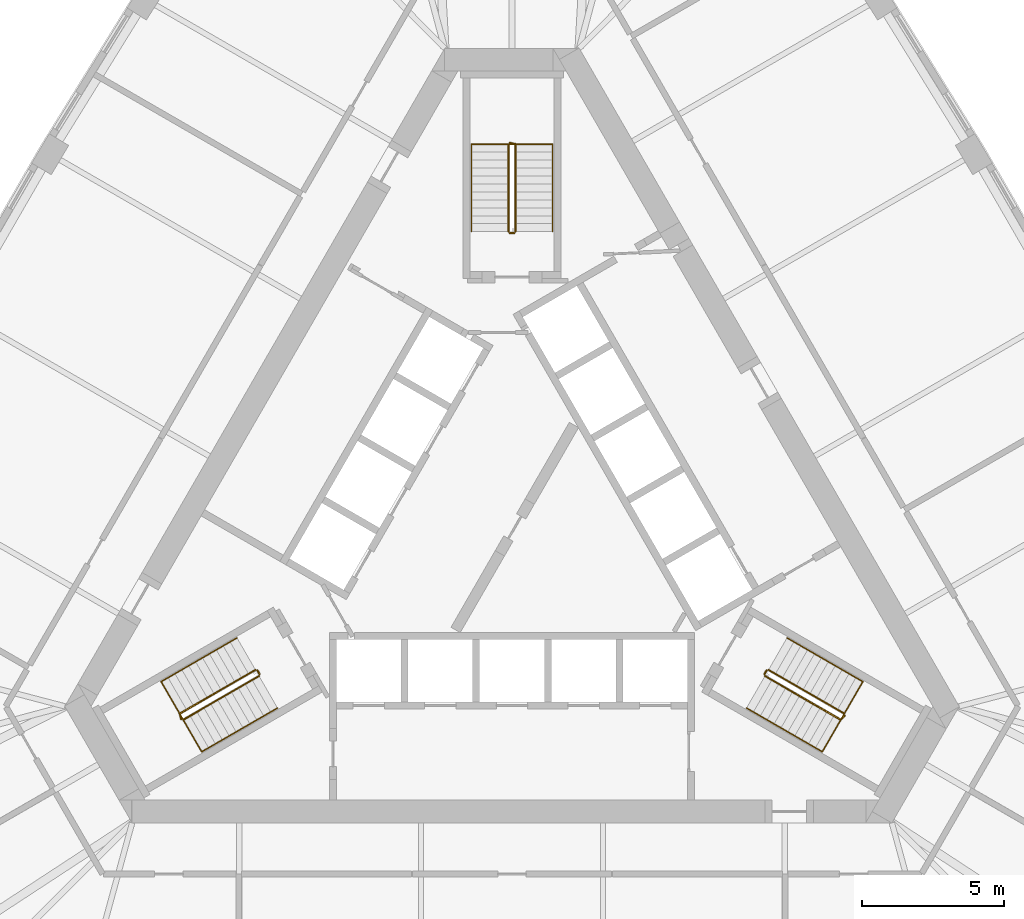
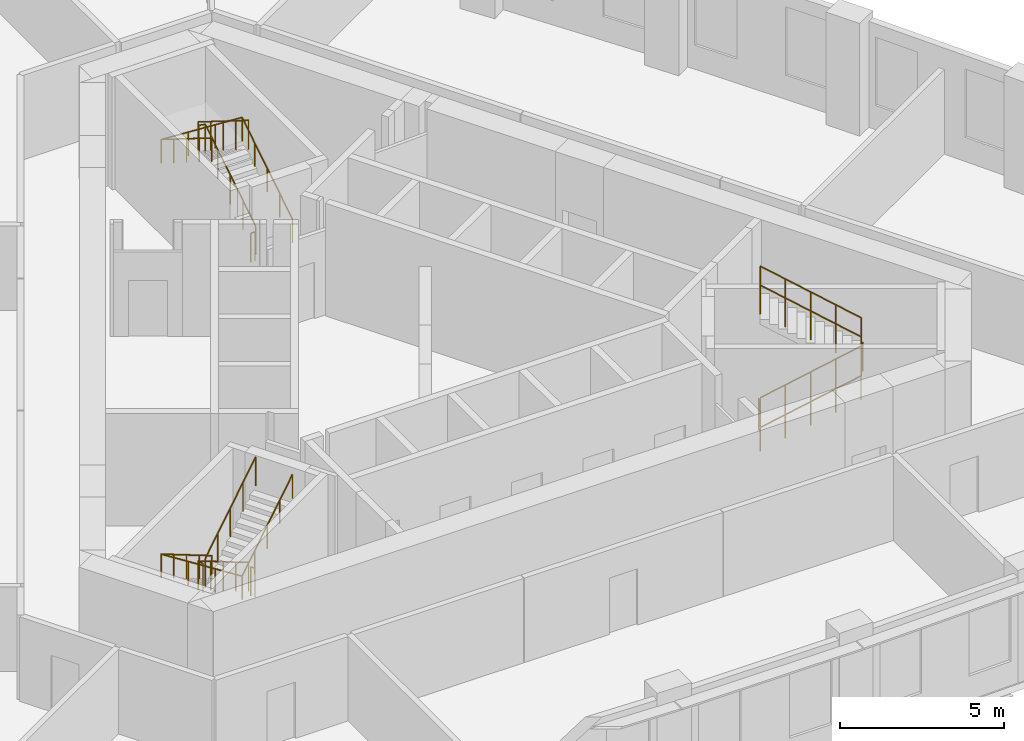
# One storey, part 9 of 9: 12 railings.
"""IFC4 building model written with IfcOpenShell, lengths in metres."""

from ifc_helpers import new_model, si_unit, direction, frame, origin, origin_2d, place, context, subcontext, project, spatial, circle, extrude, material, type_object, element, save


model = new_model("IFC4")

# Units and contexts
model_context = context("Model", 3, precision=1e-05, world=origin(), true_north=direction((0.0, 1.0)))
body_context = subcontext(model_context, "Body", "Model", "MODEL_VIEW")
ifc_project = project(units=[si_unit("LENGTHUNIT", "METRE"), si_unit("AREAUNIT", "SQUARE_METRE"), si_unit("VOLUMEUNIT", "CUBIC_METRE"), si_unit("PLANEANGLEUNIT", "RADIAN"), si_unit("MASSUNIT", "GRAM", prefix="KILO")], contexts=[model_context])

# Site, building, storey
site_placement = place(None, origin())
site = spatial("IfcSite", under=ifc_project, at=site_placement, CompositionType="ELEMENT")
building_placement = place(site_placement, origin())
building = spatial("IfcBuilding", under=site, at=building_placement, Name="Mestral Congress Tower", CompositionType="ELEMENT")
storey_placement = place(building_placement, frame((0.0, 0.0, 187.800048828125)))
storey = spatial("IfcBuildingStorey", under=building, at=storey_placement, Name="L44", CompositionType="ELEMENT", Elevation=187.800048828125)

# Railings
ifc_material_1 = material(Name="Steel balustrade", Category="steel")
railing_type_1 = type_object("IfcRailingType", Name="Stair guard 1100", PredefinedType="GUARDRAIL", material=ifc_material_1)
railing_1_placement = place(storey_placement, frame((8.90087890625, -5.283203125, 0.175048828125)))
element("IfcRailing", 1, at=railing_1_placement, inside=storey, type_object=railing_type_1, Name="L44 ST1 stair guard 1", PredefinedType="GUARDRAIL", context=body_context, shape_type="SweptSolid", body=[
    extrude(circle(Radius=0.02392578125, at=origin_2d()), frame((0.0, 0.0, 1.076171875), z_axis=(0.734390191396, -0.42403051051, 0.529970917068), x_axis=(0.500026652407, 0.866010015463, 0.0)), (0.0, 0.0, 1.0), 3.6318359375),
    extrude(circle(Radius=0.02392578125, at=origin_2d()), frame((2.667236328125, -1.5400390625, 3.0009765625), z_axis=(0.695164929852, 0.718850276695, 0.0), x_axis=(-0.718850276695, 0.695164929852, 0.0)), (0.0, 0.0, 1.0), 0.2060546875),
    extrude(circle(Radius=0.02099609375, at=origin_2d()), origin(), (0.0, 0.0, 1.0), 1.052001953125),
    extrude(circle(Radius=0.02099609375, at=origin_2d()), frame((0.666748046875, -0.385009765625, 0.481201171875)), (0.0, 0.0, 1.0), 1.052001953125),
    extrude(circle(Radius=0.02099609375, at=origin_2d()), frame((1.33349609375, -0.77001953125, 0.96240234375)), (0.0, 0.0, 1.0), 1.052001953125),
    extrude(circle(Radius=0.02099609375, at=origin_2d()), frame((2.00048828125, -1.155029296875, 1.443603515625)), (0.0, 0.0, 1.0), 1.052001953125),
    extrude(circle(Radius=0.02099609375, at=origin_2d()), frame((2.667236328125, -1.5400390625, 1.9248046875)), (0.0, 0.0, 1.0), 1.052001953125),
    extrude(circle(Radius=0.02099609375, at=origin_2d()), frame((2.810546875, -1.391845703125, 1.9248046875)), (0.0, 0.0, 1.0), 1.052001953125),
])
railing_2_placement = place(storey_placement, frame((11.693115234375, -6.606689453125, 2.27490234375)))
element("IfcRailing", 2, at=railing_2_placement, inside=storey, type_object=railing_type_1, Name="L44 ST1 stair guard 2", PredefinedType="GUARDRAIL", context=body_context, shape_type="SweptSolid", body=[
    extrude(circle(Radius=0.02392578125, at=origin_2d()), frame((0.0, 0.0, 1.076171875), z_axis=(-0.734364028329, 0.424015404183, 0.530019255228), x_axis=(-0.500026652407, -0.866010015463, 0.0)), (0.0, 0.0, 1.0), 3.632080078125),
    extrude(circle(Radius=0.02099609375, at=origin_2d()), origin(), (0.0, 0.0, 1.0), 1.052001953125),
    extrude(circle(Radius=0.02099609375, at=origin_2d()), frame((-0.666748046875, 0.385009765625, 0.481201171875)), (0.0, 0.0, 1.0), 1.052001953125),
    extrude(circle(Radius=0.02099609375, at=origin_2d()), frame((-1.33349609375, 0.77001953125, 0.96240234375)), (0.0, 0.0, 1.0), 1.052001953125),
    extrude(circle(Radius=0.02099609375, at=origin_2d()), frame((-2.00048828125, 1.155029296875, 1.44384765625)), (0.0, 0.0, 1.0), 1.052001953125),
    extrude(circle(Radius=0.02099609375, at=origin_2d()), frame((-2.667236328125, 1.5400390625, 1.925048828125)), (0.0, 0.0, 1.0), 1.052001953125),
])
railing_3_placement = place(storey_placement, frame((8.882568359375, -5.21484375, 0.0)))
element("IfcRailing", 3, at=railing_3_placement, inside=storey, type_object=railing_type_1, Name="L44 ST1 stair guard 3", PredefinedType="GUARDRAIL", context=body_context, shape_type="SweptSolid", body=[
    extrude(circle(Radius=0.02392578125, at=origin_2d()), frame((0.0, 0.0, 1.076171875), z_axis=(0.499816412211, 0.866131372301, 0.0), x_axis=(-0.866131372301, 0.499816412211, 0.0)), (0.0, 0.0, 1.0), 0.14990234375),
    extrude(circle(Radius=0.02099609375, at=origin_2d()), origin(), (0.0, 0.0, 1.0), 1.052001953125),
    extrude(circle(Radius=0.02099609375, at=origin_2d()), frame((0.074951171875, 0.1298828125, 0.0)), (0.0, 0.0, 1.0), 1.052001953125),
])
railing_4_placement = place(storey_placement, frame((0.125, 10.35009765625, 0.175048828125)))
element("IfcRailing", 4, at=railing_4_placement, inside=storey, type_object=railing_type_1, Name="L44 ST2 stair guard 1", PredefinedType="GUARDRAIL", context=body_context, shape_type="SweptSolid", body=[
    extrude(circle(Radius=0.02392578125, at=origin_2d()), frame((0.0, 0.0, 1.076171875), z_axis=(0.0, 0.848009633417, 0.529980812513), x_axis=(-1.0, 0.0, 0.0)), (0.0, 0.0, 1.0), 3.6318359375),
    extrude(circle(Radius=0.02392578125, at=origin_2d()), frame((0.0, 3.079833984375, 3.0009765625), z_axis=(-0.970072785993, 0.242814311512, 0.0), x_axis=(-0.242814311512, -0.970072785993, 0.0)), (0.0, 0.0, 1.0), 0.2060546875),
    extrude(circle(Radius=0.02099609375, at=origin_2d()), origin(), (0.0, 0.0, 1.0), 1.052001953125),
    extrude(circle(Radius=0.02099609375, at=origin_2d()), frame((0.0, 0.77001953125, 0.481201171875)), (0.0, 0.0, 1.0), 1.052001953125),
    extrude(circle(Radius=0.02099609375, at=origin_2d()), frame((0.0, 1.5400390625, 0.96240234375)), (0.0, 0.0, 1.0), 1.052001953125),
    extrude(circle(Radius=0.02099609375, at=origin_2d()), frame((0.0, 2.309814453125, 1.443603515625)), (0.0, 0.0, 1.0), 1.052001953125),
    extrude(circle(Radius=0.02099609375, at=origin_2d()), frame((0.0, 3.079833984375, 1.9248046875)), (0.0, 0.0, 1.0), 1.052001953125),
    extrude(circle(Radius=0.02099609375, at=origin_2d()), frame((-0.199951171875, 3.1298828125, 1.9248046875)), (0.0, 0.0, 1.0), 1.052001953125),
])
railing_5_placement = place(storey_placement, frame((-0.125, 13.429931640625, 2.27490234375)))
element("IfcRailing", 5, at=railing_5_placement, inside=storey, type_object=railing_type_1, Name="L44 ST2 stair guard 2", PredefinedType="GUARDRAIL", context=body_context, shape_type="SweptSolid", body=[
    extrude(circle(Radius=0.02392578125, at=origin_2d()), frame((0.0, 0.0, 1.076171875), z_axis=(0.0, -0.847979421464, 0.530029150871), x_axis=(1.0, 0.0, 0.0)), (0.0, 0.0, 1.0), 3.632080078125),
    extrude(circle(Radius=0.02099609375, at=origin_2d()), origin(), (0.0, 0.0, 1.0), 1.052001953125),
    extrude(circle(Radius=0.02099609375, at=origin_2d()), frame((0.0, -0.77001953125, 0.481201171875)), (0.0, 0.0, 1.0), 1.052001953125),
    extrude(circle(Radius=0.02099609375, at=origin_2d()), frame((0.0, -1.5400390625, 0.96240234375)), (0.0, 0.0, 1.0), 1.052001953125),
    extrude(circle(Radius=0.02099609375, at=origin_2d()), frame((0.0, -2.309814453125, 1.44384765625)), (0.0, 0.0, 1.0), 1.052001953125),
    extrude(circle(Radius=0.02099609375, at=origin_2d()), frame((0.0, -3.079833984375, 1.925048828125)), (0.0, 0.0, 1.0), 1.052001953125),
])
railing_6_placement = place(storey_placement, frame((0.074951171875, 10.300048828125, 0.0)))
element("IfcRailing", 6, at=railing_6_placement, inside=storey, type_object=railing_type_1, Name="L44 ST2 stair guard 3", PredefinedType="GUARDRAIL", context=body_context, shape_type="SweptSolid", body=[
    extrude(circle(Radius=0.02392578125, at=origin_2d()), frame((0.0, 0.0, 1.076171875), z_axis=(-1.0, 0.0, 0.0), x_axis=(0.0, -1.0, 0.0)), (0.0, 0.0, 1.0), 0.14990234375),
    extrude(circle(Radius=0.02099609375, at=origin_2d()), origin(), (0.0, 0.0, 1.0), 1.052001953125),
    extrude(circle(Radius=0.02099609375, at=origin_2d()), frame((-0.14990234375, 0.0, 0.0)), (0.0, 0.0, 1.0), 1.052001953125),
])
railing_7_placement = place(storey_placement, frame((-9.02587890625, -5.066650390625, 0.175048828125)))
element("IfcRailing", 7, at=railing_7_placement, inside=storey, type_object=railing_type_1, Name="L44 ST3 stair guard 1", PredefinedType="GUARDRAIL", context=body_context, shape_type="SweptSolid", body=[
    extrude(circle(Radius=0.02392578125, at=origin_2d()), frame((0.0, 0.0, 1.076171875), z_axis=(-0.734390191396, -0.42403051051, 0.529970917068), x_axis=(0.500026652407, -0.866010015463, 0.0)), (0.0, 0.0, 1.0), 3.6318359375),
    extrude(circle(Radius=0.02392578125, at=origin_2d()), frame((-2.667236328125, -1.5400390625, 3.0009765625), z_axis=(0.274721127897, -0.961523947641, 0.0), x_axis=(0.961523947641, 0.274721127897, 0.0)), (0.0, 0.0, 1.0), 0.2060546875),
    extrude(circle(Radius=0.02099609375, at=origin_2d()), origin(), (0.0, 0.0, 1.0), 1.052001953125),
    extrude(circle(Radius=0.02099609375, at=origin_2d()), frame((-0.666748046875, -0.385009765625, 0.481201171875)), (0.0, 0.0, 1.0), 1.052001953125),
    extrude(circle(Radius=0.02099609375, at=origin_2d()), frame((-1.33349609375, -0.77001953125, 0.96240234375)), (0.0, 0.0, 1.0), 1.052001953125),
    extrude(circle(Radius=0.02099609375, at=origin_2d()), frame((-2.00048828125, -1.155029296875, 1.443603515625)), (0.0, 0.0, 1.0), 1.052001953125),
    extrude(circle(Radius=0.02099609375, at=origin_2d()), frame((-2.667236328125, -1.5400390625, 1.9248046875)), (0.0, 0.0, 1.0), 1.052001953125),
    extrude(circle(Radius=0.02099609375, at=origin_2d()), frame((-2.610595703125, -1.73828125, 1.9248046875)), (0.0, 0.0, 1.0), 1.052001953125),
])
railing_8_placement = place(storey_placement, frame((-11.568115234375, -6.8232421875, 2.27490234375)))
element("IfcRailing", 8, at=railing_8_placement, inside=storey, type_object=railing_type_1, Name="L44 ST3 stair guard 2", PredefinedType="GUARDRAIL", context=body_context, shape_type="SweptSolid", body=[
    extrude(circle(Radius=0.02392578125, at=origin_2d()), frame((0.0, 0.0, 1.076171875), z_axis=(0.734364028329, 0.424015404183, 0.530019255228), x_axis=(-0.500026652407, 0.866010015463, 0.0)), (0.0, 0.0, 1.0), 3.632080078125),
    extrude(circle(Radius=0.02099609375, at=origin_2d()), origin(), (0.0, 0.0, 1.0), 1.052001953125),
    extrude(circle(Radius=0.02099609375, at=origin_2d()), frame((0.666748046875, 0.385009765625, 0.481201171875)), (0.0, 0.0, 1.0), 1.052001953125),
    extrude(circle(Radius=0.02099609375, at=origin_2d()), frame((1.33349609375, 0.77001953125, 0.96240234375)), (0.0, 0.0, 1.0), 1.052001953125),
    extrude(circle(Radius=0.02099609375, at=origin_2d()), frame((2.00048828125, 1.155029296875, 1.44384765625)), (0.0, 0.0, 1.0), 1.052001953125),
    extrude(circle(Radius=0.02099609375, at=origin_2d()), frame((2.667236328125, 1.5400390625, 1.925048828125)), (0.0, 0.0, 1.0), 1.052001953125),
])
railing_9_placement = place(storey_placement, frame((-8.95751953125, -5.0849609375, 0.0)))
element("IfcRailing", 9, at=railing_9_placement, inside=storey, type_object=railing_type_1, Name="L44 ST3 stair guard 3", PredefinedType="GUARDRAIL", context=body_context, shape_type="SweptSolid", body=[
    extrude(circle(Radius=0.02392578125, at=origin_2d()), frame((0.0, 0.0, 1.076171875), z_axis=(0.499816412211, -0.866131372301, 0.0), x_axis=(0.866131372301, 0.499816412211, 0.0)), (0.0, 0.0, 1.0), 0.14990234375),
    extrude(circle(Radius=0.02099609375, at=origin_2d()), origin(), (0.0, 0.0, 1.0), 1.052001953125),
    extrude(circle(Radius=0.02099609375, at=origin_2d()), frame((0.074951171875, -0.1298828125, 0.0)), (0.0, 0.0, 1.0), 1.052001953125),
])
ifc_material_2 = material(Name="Steel handrail", Category="steel")
railing_type_2 = type_object("IfcRailingType", Name="Stair handrail 900", PredefinedType="HANDRAIL", material=ifc_material_2)
railing_10_placement = place(storey_placement, frame((8.2509765625, -6.4091796875, 0.175048828125)))
element("IfcRailing", 10, at=railing_10_placement, inside=storey, type_object=railing_type_2, Name="L44 ST1 stair handrail 1", PredefinedType="HANDRAIL", context=body_context, shape_type="SweptSolid", body=[
    extrude(circle(Radius=0.02392578125, at=origin_2d()), frame((0.0, 0.0, 0.8759765625), z_axis=(0.734411123532, -0.423975373557, 0.529986022693), x_axis=(0.499967199496, 0.866044340336, 0.0)), (0.0, 0.0, 1.0), 3.6318359375),
    extrude(circle(Radius=0.02392578125, at=origin_2d()), frame((2.667236328125, -1.539794921875, 2.80078125), z_axis=(0.499095769026, 0.864375386171, 0.061307463833), x_axis=(-0.866004402611, 0.500036373335, 0.0)), (0.0, 0.0, 1.0), 2.855224609375),
    extrude(circle(Radius=0.02392578125, at=origin_2d()), frame((4.09228515625, 0.92822265625, 2.9755859375), z_axis=(-0.734394994316, 0.423994474112, 0.52999309264), x_axis=(-0.499992328818, -0.866029832698, 0.0)), (0.0, 0.0, 1.0), 3.63232421875),
    extrude(circle(Radius=0.02099609375, at=origin_2d()), origin(), (0.0, 0.0, 1.0), 0.851806640625),
    extrude(circle(Radius=0.02099609375, at=origin_2d()), frame((0.666748046875, -0.385009765625, 0.481201171875)), (0.0, 0.0, 1.0), 0.851806640625),
    extrude(circle(Radius=0.02099609375, at=origin_2d()), frame((1.33349609375, -0.77001953125, 0.96240234375)), (0.0, 0.0, 1.0), 0.851806640625),
    extrude(circle(Radius=0.02099609375, at=origin_2d()), frame((2.00048828125, -1.15478515625, 1.443603515625)), (0.0, 0.0, 1.0), 0.851806640625),
    extrude(circle(Radius=0.02099609375, at=origin_2d()), frame((2.667236328125, -1.539794921875, 1.9248046875)), (0.0, 0.0, 1.0), 0.851806640625),
    extrude(circle(Radius=0.02099609375, at=origin_2d()), frame((3.142333984375, -0.717041015625, 1.983154296875)), (0.0, 0.0, 1.0), 0.851806640625),
    extrude(circle(Radius=0.02099609375, at=origin_2d()), frame((3.6171875, 0.10546875, 2.04150390625)), (0.0, 0.0, 1.0), 0.851806640625),
    extrude(circle(Radius=0.02099609375, at=origin_2d()), frame((4.09228515625, 0.92822265625, 2.099853515625)), (0.0, 0.0, 1.0), 0.851806640625),
    extrude(circle(Radius=0.02099609375, at=origin_2d()), frame((3.42529296875, 1.313232421875, 2.5810546875)), (0.0, 0.0, 1.0), 0.851806640625),
    extrude(circle(Radius=0.02099609375, at=origin_2d()), frame((2.758544921875, 1.6982421875, 3.0625)), (0.0, 0.0, 1.0), 0.851806640625),
    extrude(circle(Radius=0.02099609375, at=origin_2d()), frame((2.091796875, 2.083251953125, 3.543701171875)), (0.0, 0.0, 1.0), 0.851806640625),
    extrude(circle(Radius=0.02099609375, at=origin_2d()), frame((1.4248046875, 2.46826171875, 4.02490234375)), (0.0, 0.0, 1.0), 0.851806640625),
])
railing_11_placement = place(storey_placement, frame((1.425048828125, 10.35009765625, 0.175048828125)))
element("IfcRailing", 11, at=railing_11_placement, inside=storey, type_object=railing_type_2, Name="L44 ST2 stair handrail 1", PredefinedType="HANDRAIL", context=body_context, shape_type="SweptSolid", body=[
    extrude(circle(Radius=0.02392578125, at=origin_2d()), frame((0.0, 0.0, 0.8759765625), z_axis=(0.0, 0.848009633417, 0.529980812513), x_axis=(-1.0, 0.0, 0.0)), (0.0, 0.0, 1.0), 3.6318359375),
    extrude(circle(Radius=0.02392578125, at=origin_2d()), frame((0.0, 3.079833984375, 2.80078125), z_axis=(-0.998119201106, 0.0, 0.061303021003), x_axis=(0.0, -1.0, 0.0)), (0.0, 0.0, 1.0), 2.85546875),
    extrude(circle(Radius=0.02392578125, at=origin_2d()), frame((-2.85009765625, 3.079833984375, 2.9755859375), z_axis=(0.0, -0.847979421464, 0.530029150871), x_axis=(1.0, 0.0, 0.0)), (0.0, 0.0, 1.0), 3.632080078125),
    extrude(circle(Radius=0.02099609375, at=origin_2d()), origin(), (0.0, 0.0, 1.0), 0.851806640625),
    extrude(circle(Radius=0.02099609375, at=origin_2d()), frame((0.0, 0.77001953125, 0.481201171875)), (0.0, 0.0, 1.0), 0.851806640625),
    extrude(circle(Radius=0.02099609375, at=origin_2d()), frame((0.0, 1.5400390625, 0.96240234375)), (0.0, 0.0, 1.0), 0.851806640625),
    extrude(circle(Radius=0.02099609375, at=origin_2d()), frame((0.0, 2.309814453125, 1.443603515625)), (0.0, 0.0, 1.0), 0.851806640625),
    extrude(circle(Radius=0.02099609375, at=origin_2d()), frame((0.0, 3.079833984375, 1.9248046875)), (0.0, 0.0, 1.0), 0.851806640625),
    extrude(circle(Radius=0.02099609375, at=origin_2d()), frame((-0.949951171875, 3.079833984375, 1.983154296875)), (0.0, 0.0, 1.0), 0.851806640625),
    extrude(circle(Radius=0.02099609375, at=origin_2d()), frame((-1.900146484375, 3.079833984375, 2.04150390625)), (0.0, 0.0, 1.0), 0.851806640625),
    extrude(circle(Radius=0.02099609375, at=origin_2d()), frame((-2.85009765625, 3.079833984375, 2.099853515625)), (0.0, 0.0, 1.0), 0.851806640625),
    extrude(circle(Radius=0.02099609375, at=origin_2d()), frame((-2.85009765625, 2.309814453125, 2.5810546875)), (0.0, 0.0, 1.0), 0.851806640625),
    extrude(circle(Radius=0.02099609375, at=origin_2d()), frame((-2.85009765625, 1.5400390625, 3.0625)), (0.0, 0.0, 1.0), 0.851806640625),
    extrude(circle(Radius=0.02099609375, at=origin_2d()), frame((-2.85009765625, 0.77001953125, 3.543701171875)), (0.0, 0.0, 1.0), 0.851806640625),
    extrude(circle(Radius=0.02099609375, at=origin_2d()), frame((-2.85009765625, 0.0, 4.02490234375)), (0.0, 0.0, 1.0), 0.851806640625),
])
railing_12_placement = place(storey_placement, frame((-9.67578125, -3.94091796875, 0.175048828125)))
element("IfcRailing", 12, at=railing_12_placement, inside=storey, type_object=railing_type_2, Name="L44 ST3 stair handrail 1", PredefinedType="HANDRAIL", context=body_context, shape_type="SweptSolid", body=[
    extrude(circle(Radius=0.02392578125, at=origin_2d()), frame((0.0, 0.0, 0.8759765625), z_axis=(-0.734421155904, -0.424009578203, 0.529944755001), x_axis=(0.499992328818, -0.866029832698, 0.0)), (0.0, 0.0, 1.0), 3.632080078125),
    extrude(circle(Radius=0.02392578125, at=origin_2d()), frame((-2.66748046875, -1.5400390625, 2.80078125), z_axis=(0.499095769026, -0.864375386171, 0.061307463833), x_axis=(0.866004402611, 0.500036373335, 0.0)), (0.0, 0.0, 1.0), 2.855224609375),
    extrude(circle(Radius=0.02392578125, at=origin_2d()), frame((-1.242431640625, -4.008056640625, 2.9755859375), z_axis=(0.734384958227, 0.423960268333, 0.530034361155), x_axis=(-0.499967199496, 0.866044340336, 0.0)), (0.0, 0.0, 1.0), 3.6318359375),
    extrude(circle(Radius=0.02099609375, at=origin_2d()), origin(), (0.0, 0.0, 1.0), 0.851806640625),
    extrude(circle(Radius=0.02099609375, at=origin_2d()), frame((-0.6669921875, -0.385009765625, 0.481201171875)), (0.0, 0.0, 1.0), 0.851806640625),
    extrude(circle(Radius=0.02099609375, at=origin_2d()), frame((-1.333740234375, -0.77001953125, 0.96240234375)), (0.0, 0.0, 1.0), 0.851806640625),
    extrude(circle(Radius=0.02099609375, at=origin_2d()), frame((-2.00048828125, -1.155029296875, 1.443603515625)), (0.0, 0.0, 1.0), 0.851806640625),
    extrude(circle(Radius=0.02099609375, at=origin_2d()), frame((-2.66748046875, -1.5400390625, 1.9248046875)), (0.0, 0.0, 1.0), 0.851806640625),
    extrude(circle(Radius=0.02099609375, at=origin_2d()), frame((-2.1923828125, -2.36279296875, 1.983154296875)), (0.0, 0.0, 1.0), 0.851806640625),
    extrude(circle(Radius=0.02099609375, at=origin_2d()), frame((-1.717529296875, -3.185302734375, 2.04150390625)), (0.0, 0.0, 1.0), 0.851806640625),
    extrude(circle(Radius=0.02099609375, at=origin_2d()), frame((-1.242431640625, -4.008056640625, 2.099853515625)), (0.0, 0.0, 1.0), 0.851806640625),
    extrude(circle(Radius=0.02099609375, at=origin_2d()), frame((-0.57568359375, -3.623046875, 2.5810546875)), (0.0, 0.0, 1.0), 0.851806640625),
    extrude(circle(Radius=0.02099609375, at=origin_2d()), frame((0.09130859375, -3.23828125, 3.0625)), (0.0, 0.0, 1.0), 0.851806640625),
    extrude(circle(Radius=0.02099609375, at=origin_2d()), frame((0.758056640625, -2.853271484375, 3.543701171875)), (0.0, 0.0, 1.0), 0.851806640625),
    extrude(circle(Radius=0.02099609375, at=origin_2d()), frame((1.4248046875, -2.46826171875, 4.02490234375)), (0.0, 0.0, 1.0), 0.851806640625),
])

save(model, "model.ifc")
